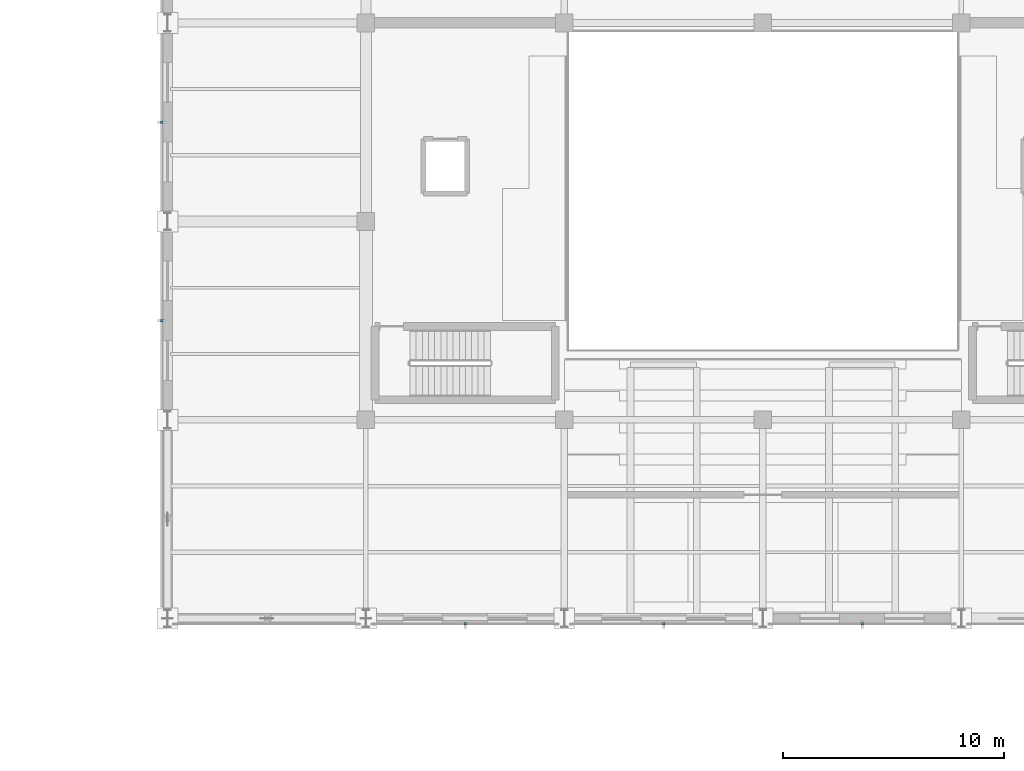
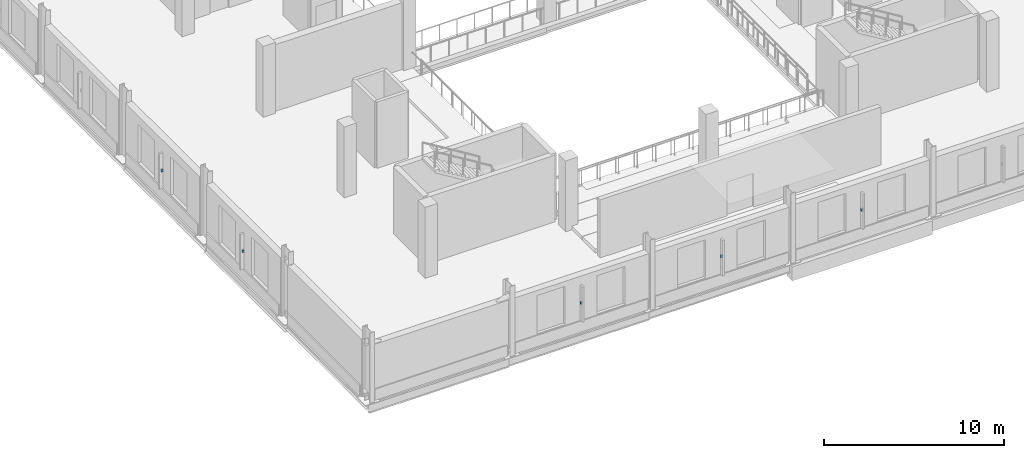
# One storey, part 40 of 54: 5 discrete accessories.
"""IFC4 building model written with IfcOpenShell, lengths in metres."""

from ifc_helpers import new_model, si_unit, direction, frame, origin, origin_2d, place, context, subcontext, project, spatial, rectangle, extrude, material, type_object, element, save


model = new_model("IFC4")

# Units and contexts
model_context = context("Model", 3, precision=1e-05, world=origin(), true_north=direction((0.0, 1.0)))
body_context = subcontext(model_context, "Body", "Model", "MODEL_VIEW")
ifc_project = project(units=[si_unit("LENGTHUNIT", "METRE"), si_unit("AREAUNIT", "SQUARE_METRE"), si_unit("VOLUMEUNIT", "CUBIC_METRE"), si_unit("PLANEANGLEUNIT", "RADIAN"), si_unit("MASSUNIT", "GRAM", prefix="KILO")], contexts=[model_context])

# Site, building, storey
site_placement = place(None, origin())
site = spatial("IfcSite", under=ifc_project, at=site_placement, CompositionType="ELEMENT")
building_placement = place(site_placement, origin())
building = spatial("IfcBuilding", under=site, at=building_placement, Name="Sundgate Opera House", CompositionType="ELEMENT")
storey_placement = place(building_placement, frame((0.0, 0.0, 16.800048828125)))
storey = spatial("IfcBuildingStorey", under=building, at=storey_placement, Name="L03", CompositionType="ELEMENT", Elevation=16.800048828125)

# Discrete accessories
ifc_material = material(Name="Stainless steel EN 1.4404 bracket", Category="steel")
discrete_accessory_type = type_object("IfcDiscreteAccessoryType", Name="AC-BRACKET-SS", PredefinedType="BRACKET", material=ifc_material)
for number, where, z_axis, x_axis, name in (
    (1, (40.5, 32.75, 1.91015625), (0.0, 0.0, 1.0), (1.0, 0.0, 0.0), "L03 Brise-Soleil Anchor Bracket BR0009"),
    (2, (49.5, 32.75, 1.91015625), (0.0, 0.0, 1.0), (1.0, 0.0, 0.0), "L03 Brise-Soleil Anchor Bracket BR0010"),
    (3, (58.5, 32.75, 1.91015625), (0.0, 0.0, 1.0), (1.0, 0.0, 0.0), "L03 Brise-Soleil Anchor Bracket BR0011"),
    (4, (26.75, 46.5, 1.91015625), (0.0, 0.0, 1.0), (1.0, 0.0, 0.0), "L03 Brise-Soleil Anchor Bracket BR0013"),
    (5, (26.75, 55.5, 1.91015625), (0.0, 0.0, 1.0), (1.0, 0.0, 0.0), "L03 Brise-Soleil Anchor Bracket BR0014"),
):
    element("IfcDiscreteAccessory", number, at=place(storey_placement, frame(where, z_axis=z_axis, x_axis=x_axis)), inside=storey, type_object=discrete_accessory_type, Name=name, PredefinedType="BRACKET", context=body_context, shape_type="SweptSolid", body=[
        extrude(rectangle(XDim=0.1201171875, YDim=0.1201171875, at=origin_2d()), origin(), (0.0, 0.0, 1.0), 0.179931640625),
    ])

save(model, "model.ifc")
